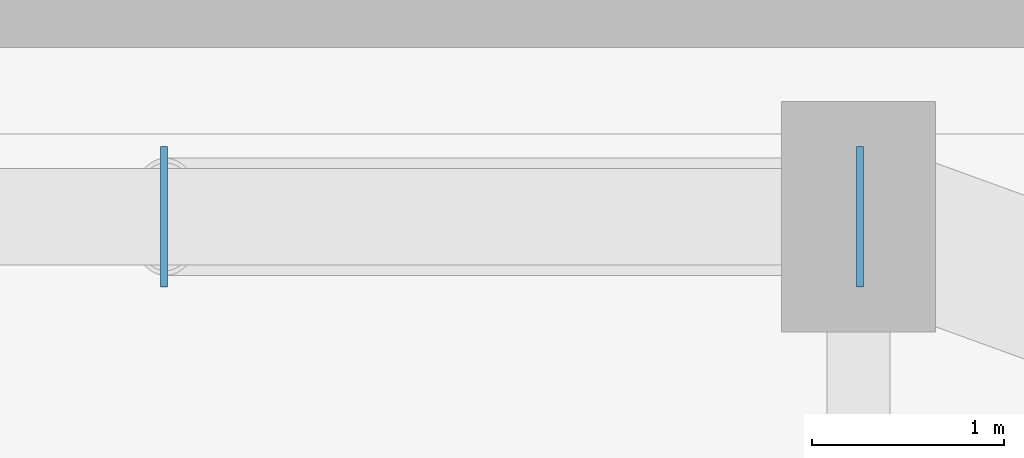
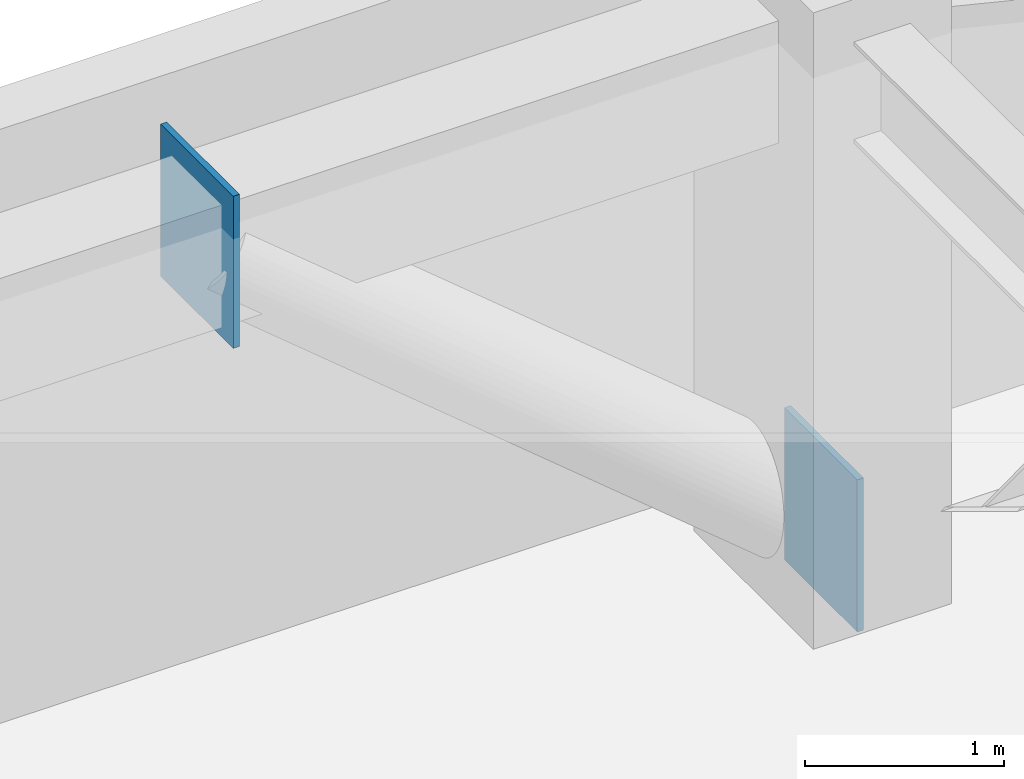
# One storey, part 17 of 24: 2 plates.
"""IFC4 building model written with IfcOpenShell, lengths in metres."""

from ifc_helpers import new_model, si_unit, direction, frame, origin, origin_2d, place, context, subcontext, project, spatial, rectangle, extrude, material, layer, layer_set, type_object, element, save


model = new_model("IFC4")

# Units and contexts
model_context = context("Model", 3, precision=1e-05, world=origin(), true_north=direction((0.0, 1.0)))
body_context = subcontext(model_context, "Body", "Model", "MODEL_VIEW")
ifc_project = project(units=[si_unit("LENGTHUNIT", "METRE"), si_unit("AREAUNIT", "SQUARE_METRE"), si_unit("VOLUMEUNIT", "CUBIC_METRE"), si_unit("PLANEANGLEUNIT", "RADIAN"), si_unit("MASSUNIT", "GRAM", prefix="KILO")], contexts=[model_context])

# Site, building, storey
site_placement = place(None, origin())
site = spatial("IfcSite", under=ifc_project, at=site_placement, CompositionType="ELEMENT")
building_placement = place(site_placement, origin())
building = spatial("IfcBuilding", under=site, at=building_placement, Name="Kiyonajd Concourse Tower", CompositionType="ELEMENT")
storey_placement = place(building_placement, frame((0.0, 0.0, 137.699951171875)))
storey = spatial("IfcBuildingStorey", under=building, at=storey_placement, Name="L35", CompositionType="ELEMENT", Elevation=137.699951171875)

# Plates
ifc_material = material(Name="Steel ASTM A572 Grade 50", Category="steel")
ifc_layer = layer(ifc_material, 0.028076171875)
ifc_layer_set = layer_set([ifc_layer], Name="Steel ASTM A572 Grade 50")
plate_type = type_object("IfcPlateType", Name="PL-CAP-450", PredefinedType="USERDEFINED", material=ifc_layer_set)
for number, where, z_axis, x_axis, name in (
    (1, (63.6083984375, 61.199951171875, -0.173583984375), (0.0, 0.0, 1.0), (1.0, 0.0, 0.0), "L35 Hollow Brace End Cap Plate PBN"),
    (2, (59.991455078125, 61.199951171875, 2.83056640625), (0.0, 0.0, 1.0), (-1.0, 0.0, 0.0), "L35 Hollow Brace Top Cap Plate PBN"),
):
    element("IfcPlate", number, at=place(storey_placement, frame(where, z_axis=z_axis, x_axis=x_axis)), inside=storey, type_object=plate_type, Name=name, ObjectType="CAP PLATE", PredefinedType="USERDEFINED", context=body_context, shape_type="SweptSolid", body=[
        extrude(rectangle(XDim=0.035888671875, YDim=0.72998046875, at=origin_2d()), origin(), (0.0, 0.0, 1.0), 0.93310546875),
    ])

save(model, "model.ifc")
